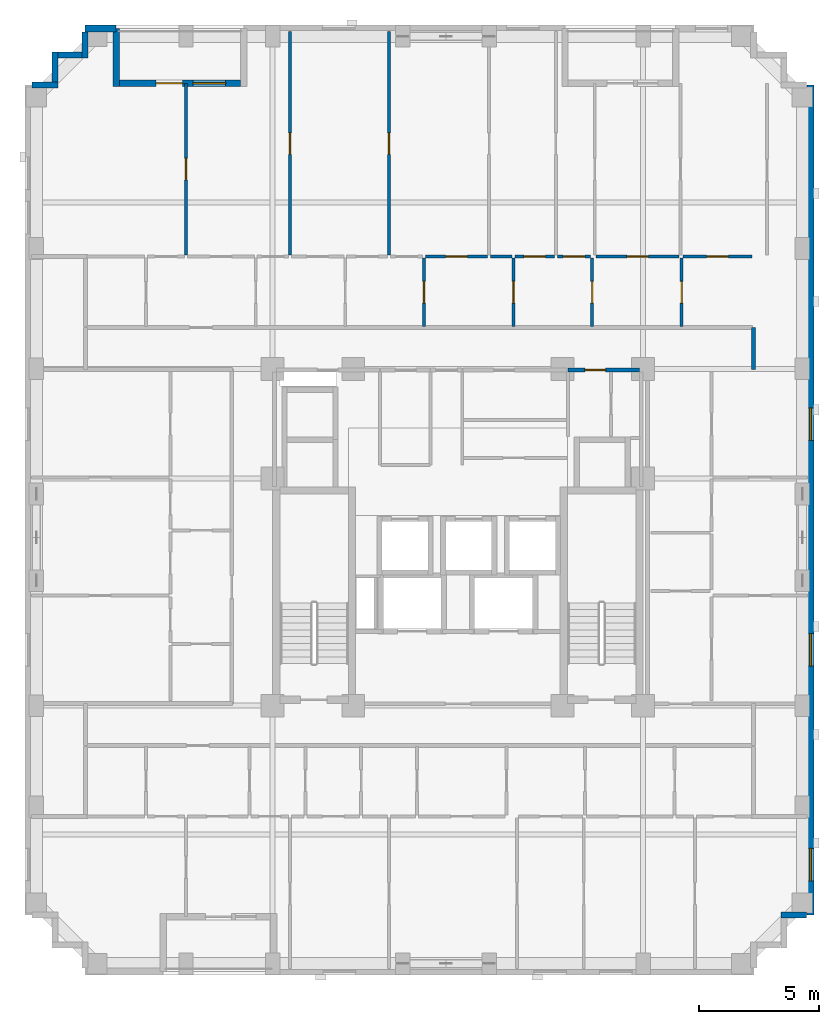
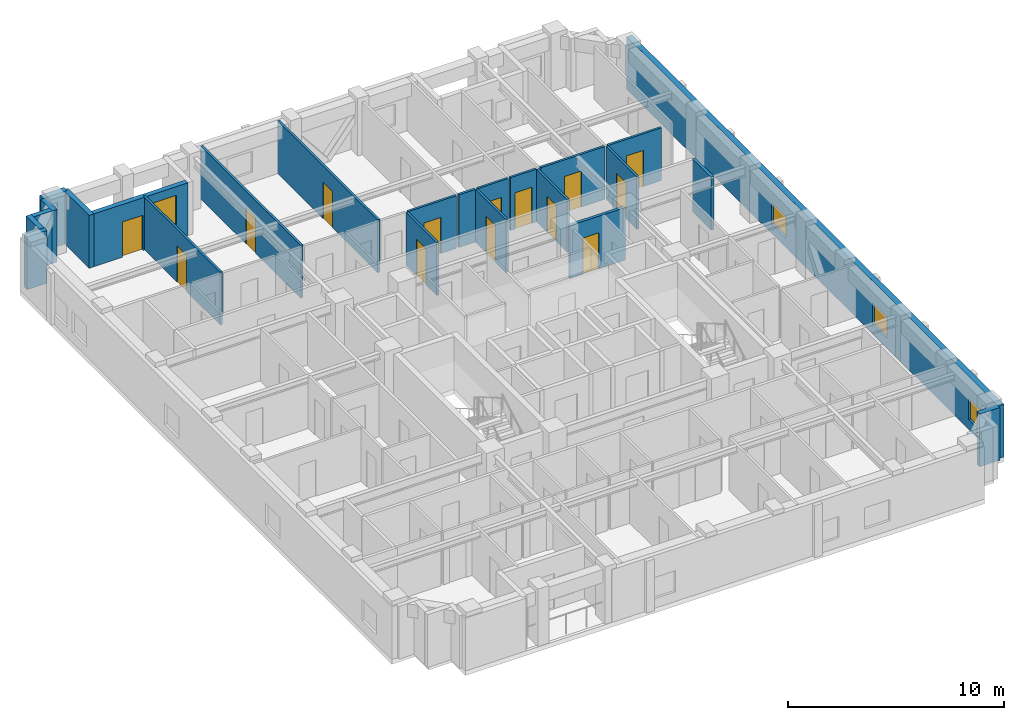
# One storey, part 7 of 11: 24 walls, 14 doors, 4 windows, 18 openings.
"""IFC4 building model written with IfcOpenShell, lengths in metres."""

from ifc_helpers import new_model, si_unit, derived_unit, direction, frame, frame_2d, origin, place, context, subcontext, project, spatial, rectangle, extrude, material, layer, layer_set, type_object, element, fill, save


model = new_model("IFC4")

# Units and contexts
model_context = context("Model", 3, precision=1e-05, world=origin(), true_north=direction((0.0, 1.0)))
body_context = subcontext(model_context, "Body", "Model", "MODEL_VIEW")
ifc_project = project(units=[si_unit("LENGTHUNIT", "METRE"), si_unit("AREAUNIT", "SQUARE_METRE"), si_unit("VOLUMEUNIT", "CUBIC_METRE"), si_unit("PLANEANGLEUNIT", "RADIAN"), si_unit("MASSUNIT", "GRAM", prefix="KILO"), derived_unit("THERMALTRANSMITTANCEUNIT", [(si_unit("MASSUNIT", "GRAM", prefix="KILO"), 1), (si_unit("TIMEUNIT", "SECOND"), -3), (si_unit("THERMODYNAMICTEMPERATUREUNIT", "KELVIN"), -1)])], contexts=[model_context])

# Site, building, storey
site_placement = place(None, origin())
site = spatial("IfcSite", under=ifc_project, at=site_placement, CompositionType="ELEMENT")
building_placement = place(site_placement, origin())
building = spatial("IfcBuilding", under=site, at=building_placement, Name="Korrvale Station Residences", CompositionType="ELEMENT")
storey_placement = place(building_placement, frame((0.0, 0.0, 150.39990234375)))
storey = spatial("IfcBuildingStorey", under=building, at=storey_placement, Name="L43", CompositionType="ELEMENT", Elevation=150.39990234375)

# Wall
ifc_material_1 = material(Name="Precast concrete C45/55", Category="concrete")
ifc_layer_1 = layer(ifc_material_1, 0.260009765625, Name="Precast concrete C45/55")
ifc_layer_set_1 = layer_set([ifc_layer_1], Name="Precast concrete C45/55")
wall_type_1 = type_object("IfcWallType", Name="WAL-EXT-LOG260", PredefinedType="SOLIDWALL", material=ifc_layer_set_1)
wall_1_placement = place(storey_placement, frame((11.300048828125, 43.139892578125, 0.0), z_axis=(0.0, 0.0, 1.0), x_axis=(0.0, -1.0, 0.0)))
element("IfcWall", 1, at=wall_1_placement, inside=storey, type_object=wall_type_1, Name="L43 Recessed Loggia Wall BAL-L43-N2-L", PredefinedType="SOLIDWALL", context=body_context, shape_type="SweptSolid", body=[
    extrude(rectangle(XDim=2.39990234375, YDim=0.260009765625, at=frame_2d((1.199951171875, 0.0))), origin(), (0.0, 0.0, 1.0), 2.989990234375),
])

# Wall, openings, door, window
wall_2_placement = place(storey_placement, frame((11.43408203125, 40.8701171875, 0.0), z_axis=(0.0, 0.0, 1.0), x_axis=(1.0, 0.0, 0.0)))
wall_2 = element("IfcWall", 2, at=wall_2_placement, inside=storey, type_object=wall_type_1, Name="L43 Recessed Loggia Wall BAL-L43-N2-B", PredefinedType="SOLIDWALL", context=body_context, shape_type="SweptSolid", body=[
    extrude(rectangle(XDim=5.031982421875, YDim=0.260009765625, at=frame_2d((2.51611328125, 0.0))), origin(), (0.0, 0.0, 1.0), 2.989990234375),
])
opening_1_placement = place(wall_2_placement, frame((1.52587890625, 0.0, 0.0)))
opening_1 = element("IfcOpeningElement", 3, at=opening_1_placement, cuts=wall_2, Name="Opening BD-01", PredefinedType="OPENING", context=body_context, shape_type="SweptSolid", body=[
    extrude(rectangle(XDim=1.10009765625, YDim=2.0, at=frame_2d((0.550048828125, 1.0))), frame((0.0, 0.14013671875, 0.0), z_axis=(0.0, -1.0, 0.0), x_axis=(1.0, 0.0, 0.0)), (0.0, 0.0, 1.0), 0.280029296875),
])
opening_2_placement = place(wall_2_placement, frame((3.06103515625, 0.0, 0.85009765625)))
opening_2 = element("IfcOpeningElement", 4, at=opening_2_placement, cuts=wall_2, Name="Opening W-06", PredefinedType="OPENING", context=body_context, shape_type="SweptSolid", body=[
    extrude(rectangle(XDim=1.35009765625, YDim=1.64990234375, at=frame_2d((0.675048828125, 0.824951171875))), frame((0.0, 0.14013671875, 0.0), z_axis=(0.0, -1.0, 0.0), x_axis=(1.0, 0.0, 0.0)), (0.0, 0.0, 1.0), 0.280029296875),
])
ifc_material_2 = material(Name="Exterior thermally broken aluminium glazed balcony door", Category="aluminium")
door_type_1 = type_object("IfcDoorType", Name="DR-EXT-BAL", OperationType="NOTDEFINED", PredefinedType="DOOR", material=ifc_material_2)
door_1_placement = place(opening_1_placement, origin())
door_1 = element("IfcDoor", 5, at=door_1_placement, inside=storey, type_object=door_type_1, Name="L43 Loggia Balcony Door BAL-L43-N2", OperationType="SINGLE_SWING_RIGHT", OverallHeight=2.0, OverallWidth=1.10009765625, PredefinedType="DOOR", context=body_context, shape_type="SweptSolid", body=[
    extrude(rectangle(XDim=1.10009765625, YDim=2.0, at=frame_2d((0.550048828125, 1.0))), frame((0.0, 0.02490234375, 0.0), z_axis=(0.0, -1.0, 0.0), x_axis=(1.0, 0.0, 0.0)), (0.0, 0.0, 1.0), 0.050048828125),
])
fill(opening_1, door_1)
ifc_material_3 = material(Name="Thermally broken aluminium frame with triple low-e glazing", Category="aluminium")
window_type_1 = type_object("IfcWindowType", Name="WIN-W06", PartitioningType="SINGLE_PANEL", PredefinedType="WINDOW", material=ifc_material_3)
window_1_placement = place(opening_2_placement, origin())
window_1 = element("IfcWindow", 6, at=window_1_placement, inside=storey, type_object=window_type_1, Name="L43 Punched Window 09", OverallHeight=1.64990234375, OverallWidth=1.35009765625, PartitioningType="SINGLE_PANEL", PredefinedType="WINDOW", context=body_context, shape_type="SweptSolid", body=[
    extrude(rectangle(XDim=1.35009765625, YDim=1.64990234375, at=frame_2d((0.675048828125, 0.824951171875))), frame((0.0, 0.030029296875, 0.0), z_axis=(0.0, -1.0, 0.0), x_axis=(1.0, 0.0, 0.0)), (0.0, 0.0, 1.0), 0.06005859375),
])
fill(opening_2, window_1)

# Walls
wall_3_placement = place(storey_placement, frame((7.802001953125, 40.800048828125, 0.0), z_axis=(0.0, 0.0, 1.0), x_axis=(1.0, 0.0, 0.0)))
element("IfcWall", 7, at=wall_3_placement, inside=storey, type_object=wall_type_1, Name="L43 Serrated Corner Precast Step NW-1", PredefinedType="SOLIDWALL", context=body_context, shape_type="SweptSolid", body=[
    extrude(rectangle(XDim=1.077880859375, YDim=0.260009765625, at=frame_2d((0.5390625, 0.0))), origin(), (0.0, 0.0, 1.0), 2.989990234375),
])
wall_4_placement = place(storey_placement, frame((8.75, 40.931884765625, 0.0), z_axis=(0.0, 0.0, 1.0), x_axis=(0.0, 1.0, 0.0)))
element("IfcWall", 8, at=wall_4_placement, inside=storey, type_object=wall_type_1, Name="L43 Serrated Corner Precast Step NW-2", PredefinedType="SOLIDWALL", context=body_context, shape_type="SweptSolid", body=[
    extrude(rectangle(XDim=1.248046875, YDim=0.260009765625, at=frame_2d((0.6240234375, 0.0))), origin(), (0.0, 0.0, 1.0), 2.989990234375),
])
wall_5_placement = place(storey_placement, frame((8.882080078125, 42.050048828125, 0.0), z_axis=(0.0, 0.0, 1.0), x_axis=(1.0, 0.0, 0.0)))
element("IfcWall", 9, at=wall_5_placement, inside=storey, type_object=wall_type_1, Name="L43 Serrated Corner Precast Step NW-3", PredefinedType="SOLIDWALL", context=body_context, shape_type="SweptSolid", body=[
    extrude(rectangle(XDim=0.98583984375, YDim=0.260009765625, at=frame_2d((0.492919921875, 0.0))), origin(), (0.0, 0.0, 1.0), 2.989990234375),
])
for number, where, z_axis, x_axis, name in (
    (10, (10.0, 41.919921875, 0.0), (0.0, 0.0, 1.0), (0.0, 1.0, 0.0), "L43 Serrated Corner Precast Step NW-4"),
    (11, (39.998046875, 6.300048828125, 0.0), (0.0, 0.0, 1.0), (-1.0, 0.0, 0.0), "L43 Serrated Corner Precast Step SE-1"),
):
    element("IfcWall", number, at=place(storey_placement, frame(where, z_axis=z_axis, x_axis=x_axis)), inside=storey, type_object=wall_type_1, Name=name, PredefinedType="SOLIDWALL", context=body_context, shape_type="SweptSolid", body=[
        extrude(rectangle(XDim=1.078125, YDim=0.260009765625, at=frame_2d((0.5390625, 0.0))), origin(), (0.0, 0.0, 1.0), 2.989990234375),
    ])
ifc_layer_2 = layer(ifc_material_1, 0.300048828125, Name="Precast concrete C45/55")
ifc_layer_set_2 = layer_set([ifc_layer_2], Name="Precast concrete C45/55")
wall_type_2 = type_object("IfcWallType", Name="WAL-EXT-PC300", PredefinedType="SOLIDWALL", material=ifc_layer_set_2)
wall_6_placement = place(storey_placement, frame((10.0, 43.14990234375, 0.0), z_axis=(0.0, 0.0, 1.0), x_axis=(1.0, 0.0, 0.0)))
element("IfcWall", 12, at=wall_6_placement, inside=storey, type_object=wall_type_2, Name="L43 North Exterior Precast Wall 1", PredefinedType="SOLIDWALL", context=body_context, shape_type="SweptSolid", body=[
    extrude(rectangle(XDim=1.300048828125, YDim=0.300048828125, at=frame_2d((0.64990234375, 0.0))), origin(), (0.0, 0.0, 1.0), 2.989990234375),
])

# Wall, openings, windows
wall_7_placement = place(storey_placement, frame((40.14990234375, 40.800048828125, 0.0), z_axis=(0.0, 0.0, 1.0), x_axis=(0.0, -1.0, 0.0)))
wall_7 = element("IfcWall", 13, at=wall_7_placement, inside=storey, type_object=wall_type_2, Name="L43 East Exterior Precast Wall 1", PredefinedType="SOLIDWALL", context=body_context, shape_type="SweptSolid", body=[
    extrude(rectangle(XDim=34.5, YDim=0.300048828125, at=frame_2d((17.25, 0.0))), origin(), (0.0, 0.0, 1.0), 2.989990234375),
])
opening_3_placement = place(wall_7_placement, frame((31.72509765625, 0.0, 0.550048828125)))
opening_3 = element("IfcOpeningElement", 14, at=opening_3_placement, cuts=wall_7, Name="Opening W-10", PredefinedType="OPENING", context=body_context, shape_type="SweptSolid", body=[
    extrude(rectangle(XDim=1.35009765625, YDim=1.199951171875, at=frame_2d((0.675048828125, 0.60009765625))), frame((0.0, 0.16015625, 0.0), z_axis=(0.0, -1.0, 0.0), x_axis=(1.0, 0.0, 0.0)), (0.0, 0.0, 1.0), 0.320068359375),
])
opening_4_placement = place(wall_7_placement, frame((22.800048828125, 0.0, 0.550048828125)))
opening_4 = element("IfcOpeningElement", 15, at=opening_4_placement, cuts=wall_7, Name="Opening W-10", PredefinedType="OPENING", context=body_context, shape_type="SweptSolid", body=[
    extrude(rectangle(XDim=1.35009765625, YDim=1.199951171875, at=frame_2d((0.675048828125, 0.60009765625))), frame((0.0, 0.16015625, 0.0), z_axis=(0.0, -1.0, 0.0), x_axis=(1.0, 0.0, 0.0)), (0.0, 0.0, 1.0), 0.320068359375),
])
opening_5_placement = place(wall_7_placement, frame((13.425048828125, 0.0, 0.550048828125)))
opening_5 = element("IfcOpeningElement", 16, at=opening_5_placement, cuts=wall_7, Name="Opening W-10", PredefinedType="OPENING", context=body_context, shape_type="SweptSolid", body=[
    extrude(rectangle(XDim=1.35009765625, YDim=1.199951171875, at=frame_2d((0.675048828125, 0.60009765625))), frame((0.0, 0.16015625, 0.0), z_axis=(0.0, -1.0, 0.0), x_axis=(1.0, 0.0, 0.0)), (0.0, 0.0, 1.0), 0.320068359375),
])
window_type_2 = type_object("IfcWindowType", Name="WIN-W10", PartitioningType="SINGLE_PANEL", PredefinedType="WINDOW", material=ifc_material_3)
window_2_placement = place(opening_3_placement, origin())
window_2 = element("IfcWindow", 17, at=window_2_placement, inside=storey, type_object=window_type_2, Name="L43 Punched Window 06", OverallHeight=1.199951171875, OverallWidth=1.35009765625, PartitioningType="SINGLE_PANEL", PredefinedType="WINDOW", context=body_context, shape_type="SweptSolid", body=[
    extrude(rectangle(XDim=1.35009765625, YDim=1.199951171875, at=frame_2d((0.675048828125, 0.60009765625))), frame((0.0, 0.030029296875, 0.0), z_axis=(0.0, -1.0, 0.0), x_axis=(1.0, 0.0, 0.0)), (0.0, 0.0, 1.0), 0.06005859375),
])
fill(opening_3, window_2)
window_3_placement = place(opening_4_placement, origin())
window_3 = element("IfcWindow", 18, at=window_3_placement, inside=storey, type_object=window_type_2, Name="L43 Punched Window 16", OverallHeight=1.199951171875, OverallWidth=1.35009765625, PartitioningType="SINGLE_PANEL", PredefinedType="WINDOW", context=body_context, shape_type="SweptSolid", body=[
    extrude(rectangle(XDim=1.35009765625, YDim=1.199951171875, at=frame_2d((0.675048828125, 0.60009765625))), frame((0.0, 0.030029296875, 0.0), z_axis=(0.0, -1.0, 0.0), x_axis=(1.0, 0.0, 0.0)), (0.0, 0.0, 1.0), 0.06005859375),
])
fill(opening_4, window_3)
window_4_placement = place(opening_5_placement, origin())
window_4 = element("IfcWindow", 19, at=window_4_placement, inside=storey, type_object=window_type_2, Name="L43 Punched Window 17", OverallHeight=1.199951171875, OverallWidth=1.35009765625, PartitioningType="SINGLE_PANEL", PredefinedType="WINDOW", context=body_context, shape_type="SweptSolid", body=[
    extrude(rectangle(XDim=1.35009765625, YDim=1.199951171875, at=frame_2d((0.675048828125, 0.60009765625))), frame((0.0, 0.030029296875, 0.0), z_axis=(0.0, -1.0, 0.0), x_axis=(1.0, 0.0, 0.0)), (0.0, 0.0, 1.0), 0.06005859375),
])
fill(opening_5, window_4)

# Wall, opening, door
ifc_material_4 = material(Name="Acoustic steel-stud gypsum board partition", Category="steel")
ifc_layer_3 = layer(ifc_material_4, 0.1201171875, Name="Acoustic steel-stud gypsum board partition")
ifc_layer_set_3 = layer_set([ifc_layer_3], Name="Acoustic steel-stud gypsum board partition")
wall_type_3 = type_object("IfcWallType", Name="WAL-PART-125", PredefinedType="PARTITIONING", material=ifc_layer_set_3)
wall_8_placement = place(storey_placement, frame((24.090087890625, 30.760009765625, 0.0), z_axis=(0.0, 0.0, 1.0), x_axis=(0.0, 1.0, 0.0)))
wall_8 = element("IfcWall", 20, at=wall_8_placement, inside=storey, type_object=wall_type_3, Name="L43 Suite Partition U02-V34", PredefinedType="PARTITIONING", context=body_context, shape_type="SweptSolid", body=[
    extrude(rectangle(XDim=2.85009765625, YDim=0.1201171875, at=frame_2d((1.425048828125, 0.0))), origin(), (0.0, 0.0, 1.0), 2.989990234375),
])
opening_6_placement = place(wall_8_placement, frame((0.97509765625, 0.0, 0.0)))
opening_6 = element("IfcOpeningElement", 21, at=opening_6_placement, cuts=wall_8, Name="Opening DI-900", PredefinedType="OPENING", context=body_context, shape_type="SweptSolid", body=[
    extrude(rectangle(XDim=0.89990234375, YDim=2.050048828125, at=frame_2d((0.449951171875, 1.02490234375))), frame((0.0, 0.070068359375, 0.0), z_axis=(0.0, -1.0, 0.0), x_axis=(1.0, 0.0, 0.0)), (0.0, 0.0, 1.0), 0.14013671875),
])
ifc_material_5 = material(Name="Painted solid-core timber interior room door", Category="wood")
door_type_2 = type_object("IfcDoorType", Name="DR-INT-900", OperationType="NOTDEFINED", PredefinedType="DOOR", material=ifc_material_5)
door_2_placement = place(opening_6_placement, origin())
door_2 = element("IfcDoor", 22, at=door_2_placement, inside=storey, type_object=door_type_2, Name="L43 Apartment 3BR L43-U02 Storage Closet 2 Door", OperationType="SINGLE_SWING_LEFT", OverallHeight=2.050048828125, OverallWidth=0.89990234375, PredefinedType="DOOR", context=body_context, shape_type="SweptSolid", body=[
    extrude(rectangle(XDim=0.89990234375, YDim=2.050048828125, at=frame_2d((0.449951171875, 1.02490234375))), frame((0.0, 0.02490234375, 0.0), z_axis=(0.0, -1.0, 0.0), x_axis=(1.0, 0.0, 0.0)), (0.0, 0.0, 1.0), 0.050048828125),
])
fill(opening_6, door_2)

wall_9_placement = place(storey_placement, frame((27.81005859375, 30.760009765625, 0.0), z_axis=(0.0, 0.0, 1.0), x_axis=(0.0, 1.0, 0.0)))
wall_9 = element("IfcWall", 23, at=wall_9_placement, inside=storey, type_object=wall_type_3, Name="L43 Suite Partition U02-V45", PredefinedType="PARTITIONING", context=body_context, shape_type="SweptSolid", body=[
    extrude(rectangle(XDim=2.85009765625, YDim=0.1201171875, at=frame_2d((1.425048828125, 0.0))), origin(), (0.0, 0.0, 1.0), 2.989990234375),
])
opening_7_placement = place(wall_9_placement, frame((0.97509765625, 0.0, 0.0)))
opening_7 = element("IfcOpeningElement", 24, at=opening_7_placement, cuts=wall_9, Name="Opening DI-900", PredefinedType="OPENING", context=body_context, shape_type="SweptSolid", body=[
    extrude(rectangle(XDim=0.89990234375, YDim=2.050048828125, at=frame_2d((0.449951171875, 1.02490234375))), frame((0.0, 0.070068359375, 0.0), z_axis=(0.0, -1.0, 0.0), x_axis=(1.0, 0.0, 0.0)), (0.0, 0.0, 1.0), 0.14013671875),
])
door_3_placement = place(opening_7_placement, origin())
door_3 = element("IfcDoor", 25, at=door_3_placement, inside=storey, type_object=door_type_2, Name="L43 Apartment 3BR L43-U02 Storage Closet 3 Door", OperationType="SINGLE_SWING_RIGHT", OverallHeight=2.050048828125, OverallWidth=0.89990234375, PredefinedType="DOOR", context=body_context, shape_type="SweptSolid", body=[
    extrude(rectangle(XDim=0.89990234375, YDim=2.050048828125, at=frame_2d((0.449951171875, 1.02490234375))), frame((0.0, 0.02490234375, 0.0), z_axis=(0.0, -1.0, 0.0), x_axis=(1.0, 0.0, 0.0)), (0.0, 0.0, 1.0), 0.050048828125),
])
fill(opening_7, door_3)

wall_10_placement = place(storey_placement, frame((24.14990234375, 33.669921875, 0.0), z_axis=(0.0, 0.0, 1.0), x_axis=(1.0, 0.0, 0.0)))
wall_10 = element("IfcWall", 26, at=wall_10_placement, inside=storey, type_object=wall_type_3, Name="L43 Suite Partition U02-H411", PredefinedType="PARTITIONING", context=body_context, shape_type="SweptSolid", body=[
    extrude(rectangle(XDim=2.590087890625, YDim=0.1201171875, at=frame_2d((1.294921875, 0.0))), origin(), (0.0, 0.0, 1.0), 2.989990234375),
])
opening_8_placement = place(wall_10_placement, frame((0.844970703125, 0.0, 0.0)))
opening_8 = element("IfcOpeningElement", 27, at=opening_8_placement, cuts=wall_10, Name="Opening DI-900", PredefinedType="OPENING", context=body_context, shape_type="SweptSolid", body=[
    extrude(rectangle(XDim=0.89990234375, YDim=2.050048828125, at=frame_2d((0.449951171875, 1.02490234375))), frame((0.0, 0.070068359375, 0.0), z_axis=(0.0, -1.0, 0.0), x_axis=(1.0, 0.0, 0.0)), (0.0, 0.0, 1.0), 0.14013671875),
])
door_4_placement = place(opening_8_placement, origin())
door_4 = element("IfcDoor", 28, at=door_4_placement, inside=storey, type_object=door_type_2, Name="L43 Apartment 3BR L43-U02 Storage Closet 3 Door", OperationType="SINGLE_SWING_LEFT", OverallHeight=2.050048828125, OverallWidth=0.89990234375, PredefinedType="DOOR", context=body_context, shape_type="SweptSolid", body=[
    extrude(rectangle(XDim=0.89990234375, YDim=2.050048828125, at=frame_2d((0.449951171875, 1.02490234375))), frame((0.0, 0.02490234375, 0.0), z_axis=(0.0, -1.0, 0.0), x_axis=(1.0, 0.0, 0.0)), (0.0, 0.0, 1.0), 0.050048828125),
])
fill(opening_8, door_4)

# Wall
wall_11_placement = place(storey_placement, frame((26.860107421875, 33.669921875, 0.0), z_axis=(0.0, 0.0, 1.0), x_axis=(1.0, 0.0, 0.0)))
element("IfcWall", 29, at=wall_11_placement, inside=storey, type_object=wall_type_3, Name="L43 Suite Partition U02-H412", PredefinedType="PARTITIONING", context=body_context, shape_type="SweptSolid", body=[
    extrude(rectangle(XDim=0.889892578125, YDim=0.1201171875, at=frame_2d((0.44482421875, 0.0))), origin(), (0.0, 0.0, 1.0), 2.989990234375),
])

# Wall, opening, door
wall_12_placement = place(storey_placement, frame((31.080078125, 30.760009765625, 0.0), z_axis=(0.0, 0.0, 1.0), x_axis=(0.0, 1.0, 0.0)))
wall_12 = element("IfcWall", 30, at=wall_12_placement, inside=storey, type_object=wall_type_3, Name="L43 Suite Partition U02-V56", PredefinedType="PARTITIONING", context=body_context, shape_type="SweptSolid", body=[
    extrude(rectangle(XDim=2.85009765625, YDim=0.1201171875, at=frame_2d((1.425048828125, 0.0))), origin(), (0.0, 0.0, 1.0), 2.989990234375),
])
opening_9_placement = place(wall_12_placement, frame((0.97509765625, 0.0, 0.0)))
opening_9 = element("IfcOpeningElement", 31, at=opening_9_placement, cuts=wall_12, Name="Opening DI-900", PredefinedType="OPENING", context=body_context, shape_type="SweptSolid", body=[
    extrude(rectangle(XDim=0.89990234375, YDim=2.050048828125, at=frame_2d((0.449951171875, 1.02490234375))), frame((0.0, 0.070068359375, 0.0), z_axis=(0.0, -1.0, 0.0), x_axis=(1.0, 0.0, 0.0)), (0.0, 0.0, 1.0), 0.14013671875),
])
door_5_placement = place(opening_9_placement, origin())
door_5 = element("IfcDoor", 32, at=door_5_placement, inside=storey, type_object=door_type_2, Name="L43 Apartment 3BR L43-U02 Storage Closet 4 Door", OperationType="SINGLE_SWING_RIGHT", OverallHeight=2.050048828125, OverallWidth=0.89990234375, PredefinedType="DOOR", context=body_context, shape_type="SweptSolid", body=[
    extrude(rectangle(XDim=0.89990234375, YDim=2.050048828125, at=frame_2d((0.449951171875, 1.02490234375))), frame((0.0, 0.02490234375, 0.0), z_axis=(0.0, -1.0, 0.0), x_axis=(1.0, 0.0, 0.0)), (0.0, 0.0, 1.0), 0.050048828125),
])
fill(opening_9, door_5)

wall_13_placement = place(storey_placement, frame((27.8701171875, 33.669921875, 0.0), z_axis=(0.0, 0.0, 1.0), x_axis=(1.0, 0.0, 0.0)))
wall_13 = element("IfcWall", 33, at=wall_13_placement, inside=storey, type_object=wall_type_3, Name="L43 Suite Partition U02-H512", PredefinedType="PARTITIONING", context=body_context, shape_type="SweptSolid", body=[
    extrude(rectangle(XDim=1.639892578125, YDim=0.1201171875, at=frame_2d((0.81982421875, 0.0))), origin(), (0.0, 0.0, 1.0), 2.989990234375),
])
opening_10_placement = place(wall_13_placement, frame((0.3701171875, 0.0, 0.0)))
opening_10 = element("IfcOpeningElement", 34, at=opening_10_placement, cuts=wall_13, Name="Opening DI-900", PredefinedType="OPENING", context=body_context, shape_type="SweptSolid", body=[
    extrude(rectangle(XDim=0.89990234375, YDim=2.050048828125, at=frame_2d((0.449951171875, 1.02490234375))), frame((0.0, 0.070068359375, 0.0), z_axis=(0.0, -1.0, 0.0), x_axis=(1.0, 0.0, 0.0)), (0.0, 0.0, 1.0), 0.14013671875),
])
door_6_placement = place(opening_10_placement, origin())
door_6 = element("IfcDoor", 35, at=door_6_placement, inside=storey, type_object=door_type_2, Name="L43 Apartment 3BR L43-U02 Storage Closet 4 Door", OperationType="SINGLE_SWING_LEFT", OverallHeight=2.050048828125, OverallWidth=0.89990234375, PredefinedType="DOOR", context=body_context, shape_type="SweptSolid", body=[
    extrude(rectangle(XDim=0.89990234375, YDim=2.050048828125, at=frame_2d((0.449951171875, 1.02490234375))), frame((0.0, 0.02490234375, 0.0), z_axis=(0.0, -1.0, 0.0), x_axis=(1.0, 0.0, 0.0)), (0.0, 0.0, 1.0), 0.050048828125),
])
fill(opening_10, door_6)

wall_14_placement = place(storey_placement, frame((29.6298828125, 33.669921875, 0.0), z_axis=(0.0, 0.0, 1.0), x_axis=(1.0, 0.0, 0.0)))
wall_14 = element("IfcWall", 36, at=wall_14_placement, inside=storey, type_object=wall_type_3, Name="L43 Suite Partition U02-H513", PredefinedType="PARTITIONING", context=body_context, shape_type="SweptSolid", body=[
    extrude(rectangle(XDim=1.39013671875, YDim=0.1201171875, at=frame_2d((0.695068359375, 0.0))), origin(), (0.0, 0.0, 1.0), 2.989990234375),
])
opening_11_placement = place(wall_14_placement, frame((0.2451171875, 0.0, 0.0)))
opening_11 = element("IfcOpeningElement", 37, at=opening_11_placement, cuts=wall_14, Name="Opening DI-900", PredefinedType="OPENING", context=body_context, shape_type="SweptSolid", body=[
    extrude(rectangle(XDim=0.89990234375, YDim=2.050048828125, at=frame_2d((0.449951171875, 1.02490234375))), frame((0.0, 0.070068359375, 0.0), z_axis=(0.0, -1.0, 0.0), x_axis=(1.0, 0.0, 0.0)), (0.0, 0.0, 1.0), 0.14013671875),
])
door_7_placement = place(opening_11_placement, origin())
door_7 = element("IfcDoor", 38, at=door_7_placement, inside=storey, type_object=door_type_2, Name="L43 Apartment 3BR L43-U02 Storage Closet 4 Door", OperationType="SINGLE_SWING_RIGHT", OverallHeight=2.050048828125, OverallWidth=0.89990234375, PredefinedType="DOOR", context=body_context, shape_type="SweptSolid", body=[
    extrude(rectangle(XDim=0.89990234375, YDim=2.050048828125, at=frame_2d((0.449951171875, 1.02490234375))), frame((0.0, 0.02490234375, 0.0), z_axis=(0.0, -1.0, 0.0), x_axis=(1.0, 0.0, 0.0)), (0.0, 0.0, 1.0), 0.050048828125),
])
fill(opening_11, door_7)

wall_15_placement = place(storey_placement, frame((34.800048828125, 30.760009765625, 0.0), z_axis=(0.0, 0.0, 1.0), x_axis=(0.0, 1.0, 0.0)))
wall_15 = element("IfcWall", 39, at=wall_15_placement, inside=storey, type_object=wall_type_3, Name="L43 Suite Partition U02-V67", PredefinedType="PARTITIONING", context=body_context, shape_type="SweptSolid", body=[
    extrude(rectangle(XDim=2.85009765625, YDim=0.1201171875, at=frame_2d((1.425048828125, 0.0))), origin(), (0.0, 0.0, 1.0), 2.989990234375),
])
opening_12_placement = place(wall_15_placement, frame((0.97509765625, 0.0, 0.0)))
opening_12 = element("IfcOpeningElement", 40, at=opening_12_placement, cuts=wall_15, Name="Opening DI-900", PredefinedType="OPENING", context=body_context, shape_type="SweptSolid", body=[
    extrude(rectangle(XDim=0.89990234375, YDim=2.050048828125, at=frame_2d((0.449951171875, 1.02490234375))), frame((0.0, 0.070068359375, 0.0), z_axis=(0.0, -1.0, 0.0), x_axis=(1.0, 0.0, 0.0)), (0.0, 0.0, 1.0), 0.14013671875),
])
door_8_placement = place(opening_12_placement, origin())
door_8 = element("IfcDoor", 41, at=door_8_placement, inside=storey, type_object=door_type_2, Name="L43 Apartment 3BR L43-U02 Storage Closet 5 Door", OperationType="SINGLE_SWING_LEFT", OverallHeight=2.050048828125, OverallWidth=0.89990234375, PredefinedType="DOOR", context=body_context, shape_type="SweptSolid", body=[
    extrude(rectangle(XDim=0.89990234375, YDim=2.050048828125, at=frame_2d((0.449951171875, 1.02490234375))), frame((0.0, 0.02490234375, 0.0), z_axis=(0.0, -1.0, 0.0), x_axis=(1.0, 0.0, 0.0)), (0.0, 0.0, 1.0), 0.050048828125),
])
fill(opening_12, door_8)

wall_16_placement = place(storey_placement, frame((31.25, 33.669921875, 0.0), z_axis=(0.0, 0.0, 1.0), x_axis=(1.0, 0.0, 0.0)))
wall_16 = element("IfcWall", 42, at=wall_16_placement, inside=storey, type_object=wall_type_3, Name="L43 Suite Partition U02-H614", PredefinedType="PARTITIONING", context=body_context, shape_type="SweptSolid", body=[
    extrude(rectangle(XDim=3.43994140625, YDim=0.1201171875, at=frame_2d((1.719970703125, 0.0))), origin(), (0.0, 0.0, 1.0), 2.989990234375),
])
opening_13_placement = place(wall_16_placement, frame((1.27001953125, 0.0, 0.0)))
opening_13 = element("IfcOpeningElement", 43, at=opening_13_placement, cuts=wall_16, Name="Opening DI-900", PredefinedType="OPENING", context=body_context, shape_type="SweptSolid", body=[
    extrude(rectangle(XDim=0.89990234375, YDim=2.050048828125, at=frame_2d((0.449951171875, 1.02490234375))), frame((0.0, 0.070068359375, 0.0), z_axis=(0.0, -1.0, 0.0), x_axis=(1.0, 0.0, 0.0)), (0.0, 0.0, 1.0), 0.14013671875),
])
door_9_placement = place(opening_13_placement, origin())
door_9 = element("IfcDoor", 44, at=door_9_placement, inside=storey, type_object=door_type_2, Name="L43 Apartment 3BR L43-U02 Storage Closet 5 Door", OperationType="SINGLE_SWING_RIGHT", OverallHeight=2.050048828125, OverallWidth=0.89990234375, PredefinedType="DOOR", context=body_context, shape_type="SweptSolid", body=[
    extrude(rectangle(XDim=0.89990234375, YDim=2.050048828125, at=frame_2d((0.449951171875, 1.02490234375))), frame((0.0, 0.02490234375, 0.0), z_axis=(0.0, -1.0, 0.0), x_axis=(1.0, 0.0, 0.0)), (0.0, 0.0, 1.0), 0.050048828125),
])
fill(opening_13, door_9)

wall_17_placement = place(storey_placement, frame((34.860107421875, 33.669921875, 0.0), z_axis=(0.0, 0.0, 1.0), x_axis=(1.0, 0.0, 0.0)))
wall_17 = element("IfcWall", 45, at=wall_17_placement, inside=storey, type_object=wall_type_3, Name="L43 Suite Partition U02-H715", PredefinedType="PARTITIONING", context=body_context, shape_type="SweptSolid", body=[
    extrude(rectangle(XDim=2.85986328125, YDim=0.1201171875, at=frame_2d((1.429931640625, 0.0))), origin(), (0.0, 0.0, 1.0), 2.989990234375),
])
opening_14_placement = place(wall_17_placement, frame((0.97998046875, 0.0, 0.0)))
opening_14 = element("IfcOpeningElement", 46, at=opening_14_placement, cuts=wall_17, Name="Opening DI-900", PredefinedType="OPENING", context=body_context, shape_type="SweptSolid", body=[
    extrude(rectangle(XDim=0.89990234375, YDim=2.050048828125, at=frame_2d((0.449951171875, 1.02490234375))), frame((0.0, 0.070068359375, 0.0), z_axis=(0.0, -1.0, 0.0), x_axis=(1.0, 0.0, 0.0)), (0.0, 0.0, 1.0), 0.14013671875),
])
door_10_placement = place(opening_14_placement, origin())
door_10 = element("IfcDoor", 47, at=door_10_placement, inside=storey, type_object=door_type_2, Name="L43 Apartment 3BR L43-U02 Storage Closet 6 Door", OperationType="SINGLE_SWING_LEFT", OverallHeight=2.050048828125, OverallWidth=0.89990234375, PredefinedType="DOOR", context=body_context, shape_type="SweptSolid", body=[
    extrude(rectangle(XDim=0.89990234375, YDim=2.050048828125, at=frame_2d((0.449951171875, 1.02490234375))), frame((0.0, 0.02490234375, 0.0), z_axis=(0.0, -1.0, 0.0), x_axis=(1.0, 0.0, 0.0)), (0.0, 0.0, 1.0), 0.050048828125),
])
fill(opening_14, door_10)

wall_18_placement = place(storey_placement, frame((14.199951171875, 33.72998046875, 0.0), z_axis=(0.0, 0.0, 1.0), x_axis=(0.0, 1.0, 0.0)))
wall_18 = element("IfcWall", 48, at=wall_18_placement, inside=storey, type_object=wall_type_3, Name="L43 Suite Partition U02-V89", PredefinedType="PARTITIONING", context=body_context, shape_type="SweptSolid", body=[
    extrude(rectangle(XDim=7.14013671875, YDim=0.1201171875, at=frame_2d((3.570068359375, 0.0))), origin(), (0.0, 0.0, 1.0), 2.989990234375),
])
opening_15_placement = place(wall_18_placement, frame((3.1201171875, 0.0, 0.0)))
opening_15 = element("IfcOpeningElement", 49, at=opening_15_placement, cuts=wall_18, Name="Opening DI-900", PredefinedType="OPENING", context=body_context, shape_type="SweptSolid", body=[
    extrude(rectangle(XDim=0.89990234375, YDim=2.050048828125, at=frame_2d((0.449951171875, 1.02490234375))), frame((0.0, 0.070068359375, 0.0), z_axis=(0.0, -1.0, 0.0), x_axis=(1.0, 0.0, 0.0)), (0.0, 0.0, 1.0), 0.14013671875),
])
door_11_placement = place(opening_15_placement, origin())
door_11 = element("IfcDoor", 50, at=door_11_placement, inside=storey, type_object=door_type_2, Name="L43 Apartment 3BR L43-U02 Living and Dining Room Door", OperationType="SINGLE_SWING_RIGHT", OverallHeight=2.050048828125, OverallWidth=0.89990234375, PredefinedType="DOOR", context=body_context, shape_type="SweptSolid", body=[
    extrude(rectangle(XDim=0.89990234375, YDim=2.050048828125, at=frame_2d((0.449951171875, 1.02490234375))), frame((0.0, 0.02490234375, 0.0), z_axis=(0.0, -1.0, 0.0), x_axis=(1.0, 0.0, 0.0)), (0.0, 0.0, 1.0), 0.050048828125),
])
fill(opening_15, door_11)

wall_19_placement = place(storey_placement, frame((18.52001953125, 33.72998046875, 0.0), z_axis=(0.0, 0.0, 1.0), x_axis=(0.0, 1.0, 0.0)))
wall_19 = element("IfcWall", 51, at=wall_19_placement, inside=storey, type_object=wall_type_3, Name="L43 Suite Partition U02-V910", PredefinedType="PARTITIONING", context=body_context, shape_type="SweptSolid", body=[
    extrude(rectangle(XDim=9.2900390625, YDim=0.1201171875, at=frame_2d((4.64501953125, 0.0))), origin(), (0.0, 0.0, 1.0), 2.989990234375),
])
opening_16_placement = place(wall_19_placement, frame((4.179931640625, 0.0, 0.0)))
opening_16 = element("IfcOpeningElement", 52, at=opening_16_placement, cuts=wall_19, Name="Opening DI-900", PredefinedType="OPENING", context=body_context, shape_type="SweptSolid", body=[
    extrude(rectangle(XDim=0.89990234375, YDim=2.050048828125, at=frame_2d((0.449951171875, 1.02490234375))), frame((0.0, 0.070068359375, 0.0), z_axis=(0.0, -1.0, 0.0), x_axis=(1.0, 0.0, 0.0)), (0.0, 0.0, 1.0), 0.14013671875),
])
door_12_placement = place(opening_16_placement, origin())
door_12 = element("IfcDoor", 53, at=door_12_placement, inside=storey, type_object=door_type_2, Name="L43 Apartment 3BR L43-U02 Formal Dining Room Door", OperationType="SINGLE_SWING_LEFT", OverallHeight=2.050048828125, OverallWidth=0.89990234375, PredefinedType="DOOR", context=body_context, shape_type="SweptSolid", body=[
    extrude(rectangle(XDim=0.89990234375, YDim=2.050048828125, at=frame_2d((0.449951171875, 1.02490234375))), frame((0.0, 0.02490234375, 0.0), z_axis=(0.0, -1.0, 0.0), x_axis=(1.0, 0.0, 0.0)), (0.0, 0.0, 1.0), 0.050048828125),
])
fill(opening_16, door_12)

wall_20_placement = place(storey_placement, frame((22.639892578125, 33.72998046875, 0.0), z_axis=(0.0, 0.0, 1.0), x_axis=(0.0, 1.0, 0.0)))
wall_20 = element("IfcWall", 54, at=wall_20_placement, inside=storey, type_object=wall_type_3, Name="L43 Suite Partition U02-V1011", PredefinedType="PARTITIONING", context=body_context, shape_type="SweptSolid", body=[
    extrude(rectangle(XDim=9.2900390625, YDim=0.1201171875, at=frame_2d((4.64501953125, 0.0))), origin(), (0.0, 0.0, 1.0), 2.989990234375),
])
opening_17_placement = place(wall_20_placement, frame((4.179931640625, 0.0, 0.0)))
opening_17 = element("IfcOpeningElement", 55, at=opening_17_placement, cuts=wall_20, Name="Opening DI-900", PredefinedType="OPENING", context=body_context, shape_type="SweptSolid", body=[
    extrude(rectangle(XDim=0.89990234375, YDim=2.050048828125, at=frame_2d((0.449951171875, 1.02490234375))), frame((0.0, 0.070068359375, 0.0), z_axis=(0.0, -1.0, 0.0), x_axis=(1.0, 0.0, 0.0)), (0.0, 0.0, 1.0), 0.14013671875),
])
door_13_placement = place(opening_17_placement, origin())
door_13 = element("IfcDoor", 56, at=door_13_placement, inside=storey, type_object=door_type_2, Name="L43 Apartment 3BR L43-U02 Family Lounge Room Door", OperationType="SINGLE_SWING_RIGHT", OverallHeight=2.050048828125, OverallWidth=0.89990234375, PredefinedType="DOOR", context=body_context, shape_type="SweptSolid", body=[
    extrude(rectangle(XDim=0.89990234375, YDim=2.050048828125, at=frame_2d((0.449951171875, 1.02490234375))), frame((0.0, 0.02490234375, 0.0), z_axis=(0.0, -1.0, 0.0), x_axis=(1.0, 0.0, 0.0)), (0.0, 0.0, 1.0), 0.050048828125),
])
fill(opening_17, door_13)

ifc_material_6 = material(Name="Fire-rated twin-stud gypsum and mineral wool shaftwall assembly", Category="gypsum")
ifc_layer_4 = layer(ifc_material_6, 0.159912109375, Name="Fire-rated twin-stud gypsum and mineral wool shaftwall assembly")
ifc_layer_set_4 = layer_set([ifc_layer_4], Name="Fire-rated twin-stud gypsum and mineral wool shaftwall assembly")
wall_type_4 = type_object("IfcWallType", Name="WAL-PART-200", PredefinedType="PARTITIONING", material=ifc_layer_set_4)
wall_21_placement = place(storey_placement, frame((30.080078125, 28.949951171875, 0.0), z_axis=(0.0, 0.0, 1.0), x_axis=(1.0, 0.0, 0.0)))
wall_21 = element("IfcWall", 57, at=wall_21_placement, inside=storey, type_object=wall_type_4, Name="L43 Core Partition CW-CS-N", PredefinedType="PARTITIONING", context=body_context, shape_type="SweptSolid", body=[
    extrude(rectangle(XDim=2.9599609375, YDim=0.159912109375, at=frame_2d((1.47998046875, 0.0))), origin(), (0.0, 0.0, 1.0), 2.989990234375),
])
opening_18_placement = place(wall_21_placement, frame((0.695068359375, 0.0, 0.0)))
opening_18 = element("IfcOpeningElement", 58, at=opening_18_placement, cuts=wall_21, Name="Opening DB-860", PredefinedType="OPENING", context=body_context, shape_type="SweptSolid", body=[
    extrude(rectangle(XDim=0.860107421875, YDim=2.050048828125, at=frame_2d((0.43017578125, 1.02490234375))), frame((0.0, 0.08984375, 0.0), z_axis=(0.0, -1.0, 0.0), x_axis=(1.0, 0.0, 0.0)), (0.0, 0.0, 1.0), 0.179931640625),
])
ifc_material_7 = material(Name="Moisture-resistant solid-core bathroom door", Category="timber")
door_type_3 = type_object("IfcDoorType", Name="DR-BATH-860", OperationType="NOTDEFINED", PredefinedType="DOOR", material=ifc_material_7)
door_14_placement = place(opening_18_placement, origin())
door_14 = element("IfcDoor", 59, at=door_14_placement, inside=storey, type_object=door_type_3, Name="L43 Housekeeping Supply Door", OperationType="SINGLE_SWING_RIGHT", OverallHeight=2.050048828125, OverallWidth=0.860107421875, PredefinedType="DOOR", context=body_context, shape_type="SweptSolid", body=[
    extrude(rectangle(XDim=0.860107421875, YDim=2.050048828125, at=frame_2d((0.43017578125, 1.02490234375))), frame((0.0, 0.02490234375, 0.0), z_axis=(0.0, -1.0, 0.0), x_axis=(1.0, 0.0, 0.0)), (0.0, 0.0, 1.0), 0.050048828125),
])
fill(opening_18, door_14)

# Wall
wall_22_placement = place(storey_placement, frame((37.780029296875, 28.97998046875, 0.0), z_axis=(0.0, 0.0, 1.0), x_axis=(0.0, 1.0, 0.0)))
element("IfcWall", 60, at=wall_22_placement, inside=storey, type_object=wall_type_4, Name="L43 Corridor North East Cap", PredefinedType="PARTITIONING", context=body_context, shape_type="SweptSolid", body=[
    extrude(rectangle(XDim=1.739990234375, YDim=0.159912109375, at=frame_2d((0.8701171875, 0.0))), origin(), (0.0, 0.0, 1.0), 2.989990234375),
])

save(model, "model.ifc")
